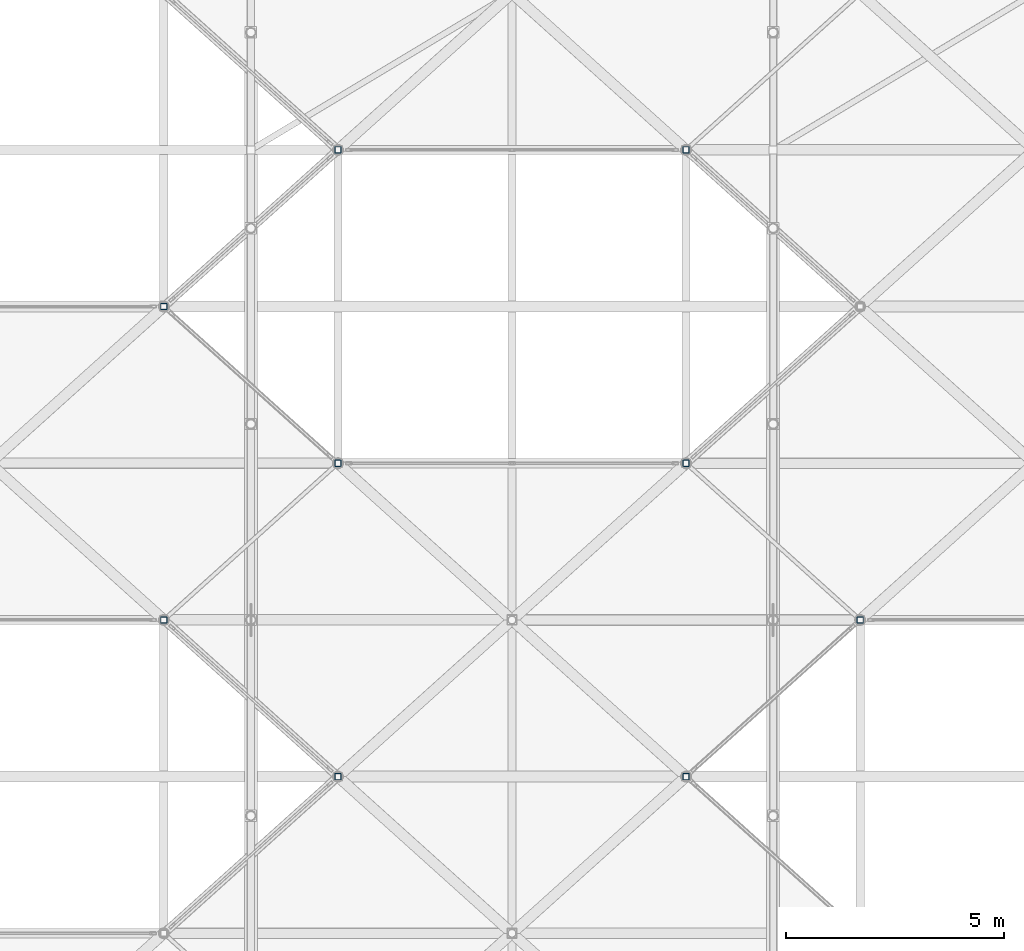
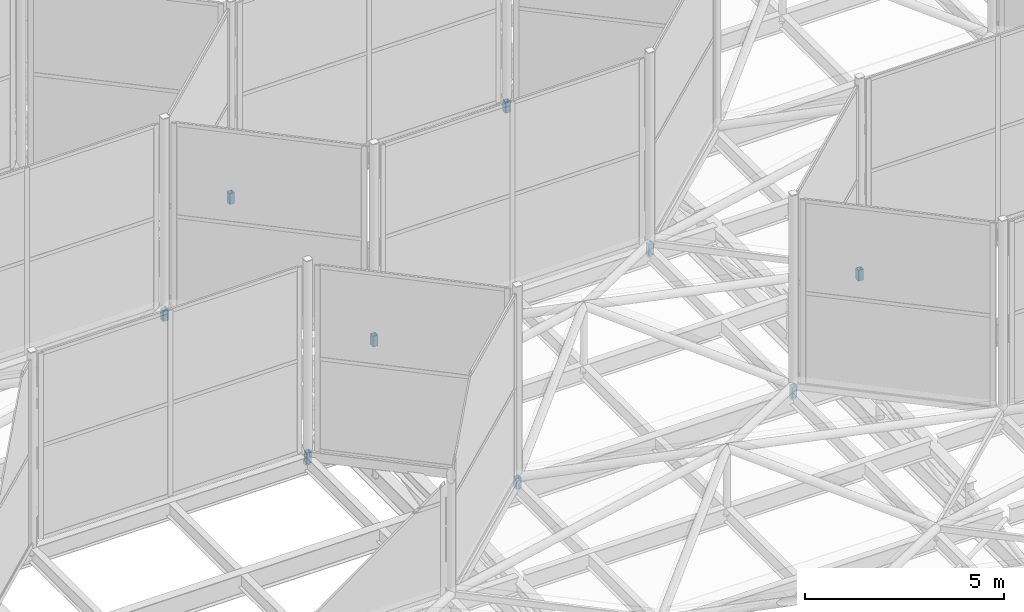
# One storey, part 200 of 239: 9 members.
"""IFC4 building model written with IfcOpenShell, lengths in metres."""

from ifc_helpers import new_model, si_unit, direction, frame, origin, origin_2d, place, context, subcontext, project, spatial, hollow_rectangle, extrude, material, material_profile, profile_set, type_object, element, save


model = new_model("IFC4")

# Units and contexts
model_context = context("Model", 3, precision=1e-05, world=origin(), true_north=direction((0.0, 1.0)))
body_context = subcontext(model_context, "Body", "Model", "MODEL_VIEW")
ifc_project = project(units=[si_unit("LENGTHUNIT", "METRE"), si_unit("AREAUNIT", "SQUARE_METRE"), si_unit("VOLUMEUNIT", "CUBIC_METRE"), si_unit("PLANEANGLEUNIT", "RADIAN"), si_unit("MASSUNIT", "GRAM", prefix="KILO")], contexts=[model_context])

# Site, building, storey
site_placement = place(None, origin())
site = spatial("IfcSite", under=ifc_project, at=site_placement, CompositionType="ELEMENT")
building_placement = place(site_placement, origin())
building = spatial("IfcBuilding", under=site, at=building_placement, Name="Dunvalen Ferry Terminal", CompositionType="ELEMENT")
storey_placement = place(building_placement, frame((0.0, 0.0, 9.840087890625)))
storey = spatial("IfcBuildingStorey", under=building, at=storey_placement, Name="L02", CompositionType="ELEMENT", Elevation=9.840087890625)

# Members
ifc_material = material(Name="Steel S355", Category="steel")
ifc_material_profile = material_profile(ifc_material, hollow_rectangle(XDim=0.14990234375, YDim=0.14990234375, WallThickness=0.008056640625, InnerFilletRadius=0.008056640625, OuterFilletRadius=0.01611328125, at=origin_2d()), Name="Steel S355")
ifc_profile_set = profile_set([ifc_material_profile], Name="Steel S355")
member_type = type_object("IfcMemberType", Name="STR-MB-SHS150", PredefinedType="BRACE", material=ifc_profile_set)
for number, where, z_axis, x_axis, name in (
    (1, (34.0, 68.39990234375, 0.77001953125), (0.0, 0.0, 1.0), (1.0, 0.0, 0.0), "HEX-15 Rim Pedestal Strut 3"),
    (2, (38.0, 72.0, 0.77001953125), (0.0, 0.0, 1.0), (1.0, 0.0, 0.0), "HEX-15 Rim Pedestal Strut 4"),
    (3, (34.0, 75.60009765625, 0.77001953125), (0.0, 0.0, 1.0), (1.0, 0.0, 0.0), "HEX-15 Rim Pedestal Strut 5"),
    (4, (46.0, 64.800048828125, 0.77001953125), (0.0, 0.0, 1.0), (1.0, 0.0, 0.0), "HEX-19 Rim Pedestal Strut 5"),
    (5, (38.0, 64.800048828125, 0.77001953125), (0.0, 0.0, 1.0), (1.0, 0.0, 0.0), "HEX-19 Rim Pedestal Strut 6"),
    (6, (50.0, 68.39990234375, 0.77001953125), (0.0, 0.0, 1.0), (1.0, 0.0, 0.0), "HEX-20 Rim Pedestal Strut 4"),
    (7, (46.0, 72.0, 0.77001953125), (0.0, 0.0, 1.0), (1.0, 0.0, 0.0), "HEX-20 Rim Pedestal Strut 5"),
    (8, (38.0, 79.199951171875, 0.77001953125), (0.0, 0.0, 1.0), (1.0, 0.0, 0.0), "HEX-22 Rim Pedestal Strut 2"),
    (9, (46.0, 79.199951171875, 0.77001953125), (0.0, 0.0, 1.0), (1.0, 0.0, 0.0), "HEX-22 Rim Pedestal Strut 3"),
):
    element("IfcMember", number, at=place(storey_placement, frame(where, z_axis=z_axis, x_axis=x_axis)), inside=storey, type_object=member_type, Name=name, PredefinedType="BRACE", context=body_context, shape_type="SweptSolid", body=[
        extrude(hollow_rectangle(XDim=0.14990234375, YDim=0.14990234375, WallThickness=0.008056640625, InnerFilletRadius=0.008056640625, OuterFilletRadius=0.01611328125, at=origin_2d()), origin(), (0.0, 0.0, 1.0), 0.329833984375),
    ])

save(model, "model.ifc")
